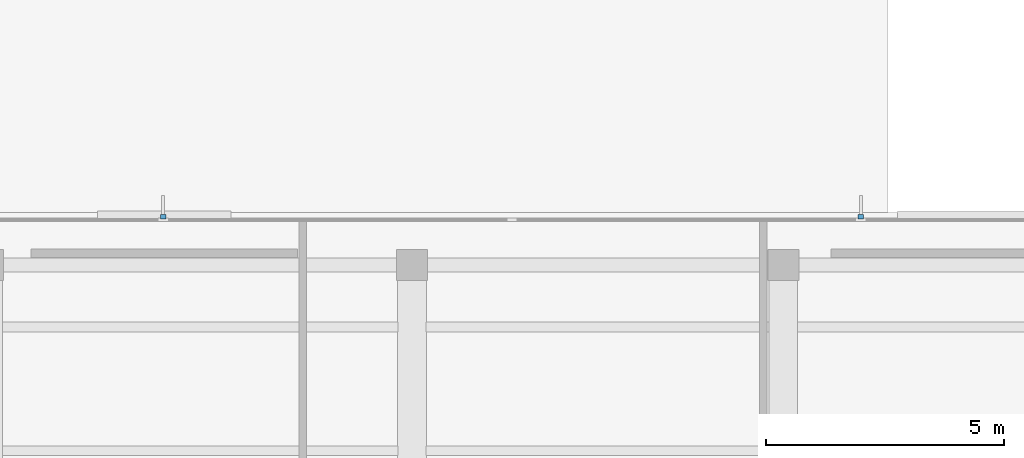
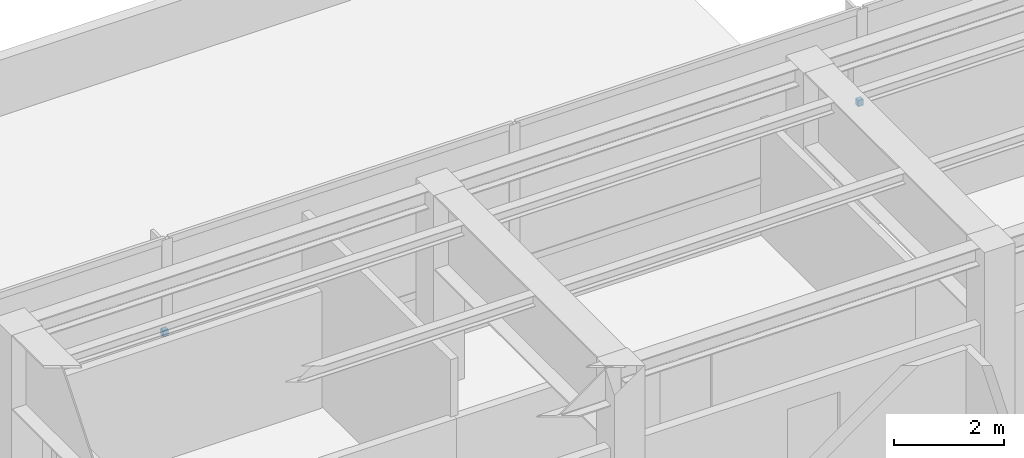
# One storey, part 5 of 6: 2 discrete accessories.
"""IFC4 building model written with IfcOpenShell, lengths in metres."""

import ifcopenshell
import ifcopenshell.guid

model = None  # the IFC model being written
_history = None  # IfcOwnerHistory: only IFC2X3 demands one
_inside = {}  # id of a spatial element -> (the spatial element, [elements in it])
_under = {}  # id of a project, library or spatial element -> (it, [spatial elements below it])
_declared = {}  # id of a project -> (the project, [libraries it declares])
_typed = {}  # id of a type object -> (the type object, [elements of that type])
_made_of = {}  # id of a material, layer set ... -> (it, [elements and type objects made of it])


def new_model(schema):
    """Start an empty IFC model of exactly this schema.

    Asked for "IFC4X3", IfcOpenShell would pick the latest addendum, in which some entities
    have other attributes; the version numbers below select the first issue.
    IFC2X3 requires an IfcOwnerHistory on every rooted entity: one is made here for all.
    """
    global model, _history
    if schema == "IFC4X3":
        model = ifcopenshell.file(schema_version=(4, 3, 0, 0))
    else:
        model = ifcopenshell.file(schema=schema)
    _inside.clear()
    _under.clear()
    _declared.clear()
    _typed.clear()
    _made_of.clear()
    _history = None
    if model.schema == "IFC2X3":
        org = make("IfcOrganization", Name="unknown")
        user = make(
            "IfcPersonAndOrganization",
            ThePerson=make("IfcPerson", FamilyName="unknown"),
            TheOrganization=org,
        )
        app = make(
            "IfcApplication",
            ApplicationDeveloper=org,
            Version="unknown",
            ApplicationFullName="unknown",
            ApplicationIdentifier="unknown",
        )
        _history = make(
            "IfcOwnerHistory",
            OwningUser=user,
            OwningApplication=app,
            ChangeAction="ADDED",
            CreationDate=0,
        )
    return model


def make(cls, **values):
    """One entity of the class cls with the attributes given. An attribute that is None is left unset."""
    return model.create_entity(
        cls, **{name: value for name, value in values.items() if value is not None}
    )


def rooted(cls, **values):
    """An entity with a GlobalId (a new one), such as an element, a storey or a relation."""
    return make(cls, GlobalId=ifcopenshell.guid.new(), OwnerHistory=_history, **values)


def si_unit(unit_type, name, prefix=None):
    """IfcSIUnit, for example si_unit("LENGTHUNIT", "METRE", prefix="MILLI")."""
    return make("IfcSIUnit", UnitType=unit_type, Prefix=prefix, Name=name)


def assignment(units):
    """IfcUnitAssignment: the units of a project."""
    return None if units is None else make("IfcUnitAssignment", Units=units)


def point(xyz):
    """IfcCartesianPoint."""
    return None if xyz is None else make("IfcCartesianPoint", Coordinates=xyz)


def direction(xyz):
    """IfcDirection."""
    return None if xyz is None else make("IfcDirection", DirectionRatios=xyz)


def frame(location, z_axis=None, x_axis=None):
    """IfcAxis2Placement3D, a coordinate frame: its origin and axes. An axis left out is left unset."""
    return make(
        "IfcAxis2Placement3D",
        Location=point(location),
        Axis=direction(z_axis),
        RefDirection=direction(x_axis),
    )


def origin():
    """The frame at (0, 0, 0) with its axes left unset."""
    return frame((0.0, 0.0, 0.0))


def place(relative_to, where):
    """IfcLocalPlacement: puts the frame where relative to a parent placement (None: the world)."""
    return make(
        "IfcLocalPlacement", PlacementRelTo=relative_to, RelativePlacement=where
    )


def context(
    kind, dimensions, precision=None, world=None, true_north=None, identifier=None
):
    """IfcGeometricRepresentationContext, for example the 3D "Model" context."""
    return make(
        "IfcGeometricRepresentationContext",
        ContextIdentifier=identifier,
        ContextType=kind,
        CoordinateSpaceDimension=dimensions,
        Precision=precision,
        WorldCoordinateSystem=world,
        TrueNorth=true_north,
    )


def subcontext(parent, identifier, kind, view, scale=None):
    """IfcGeometricRepresentationSubContext, for example "Body" below "Model"."""
    return make(
        "IfcGeometricRepresentationSubContext",
        ContextIdentifier=identifier,
        ContextType=kind,
        ParentContext=parent,
        TargetScale=scale,
        TargetView=view,
    )


def project(units=None, contexts=None):
    """IfcProject with its units and contexts."""
    return rooted(
        "IfcProject",
        Name="project",
        RepresentationContexts=contexts,
        UnitsInContext=assignment(units),
    )


def spatial(cls, under=None, at=None, **own):
    """A site, building, storey or space (cls), placed at a placement, below another one or the project."""
    s = rooted(cls, ObjectPlacement=at, **own)
    if under is not None:
        _under.setdefault(under.id(), (under, []))[1].append(s)
    return s


def polyline(points):
    """IfcPolyline through the points."""
    return make("IfcPolyline", Points=[point(p) for p in points])


def outline(outer, holes=None, kind="AREA"):
    """IfcArbitraryClosedProfileDef: a profile drawn as a closed curve; with holes, ...WithVoids."""
    if holes is None:
        return make("IfcArbitraryClosedProfileDef", ProfileType=kind, OuterCurve=outer)
    return make(
        "IfcArbitraryProfileDefWithVoids",
        ProfileType=kind,
        OuterCurve=outer,
        InnerCurves=holes,
    )


def extrude(swept, where, along, depth):
    """IfcExtrudedAreaSolid: the profile swept, set in the frame where, extruded along a direction by depth."""
    return make(
        "IfcExtrudedAreaSolid",
        SweptArea=swept,
        Position=where,
        ExtrudedDirection=direction(along),
        Depth=depth,
    )


def shape(context_of_items, identifier, shape_type, items):
    """IfcShapeRepresentation: the items that make up one representation, for example the "Body"."""
    return make(
        "IfcShapeRepresentation",
        ContextOfItems=context_of_items,
        RepresentationIdentifier=identifier,
        RepresentationType=shape_type,
        Items=items,
    )


def material(Name=None, Category=None):
    """IfcMaterial."""
    return make("IfcMaterial", Name=Name, Category=Category)


def made_of(thing, what):
    """Note that an element or type object is made of a material, layer set ...; save() writes the relation."""
    if what is not None:
        _made_of.setdefault(what.id(), (what, []))[1].append(thing)
    return thing


def type_object(cls, material=None, **own):
    """A type object (cls), such as IfcWallType, which elements share."""
    return made_of(rooted(cls, **own), material)


def element(
    cls,
    number,
    at=None,
    inside=None,
    cuts=None,
    type_object=None,
    material=None,
    context=None,
    identifier="Body",
    shape_type=None,
    held_by="IfcProductDefinitionShape",
    body=None,
    shapes=None,
    **own,
):
    """One element of the class cls, such as IfcWall. Its Tag is "e" and its number.

    at: its placement. inside: the storey or other place that contains it. cuts: it is an
    opening in that element (IfcRelVoidsElement). A single representation is given by context,
    identifier, shape_type and body (its items); several are given by shapes. held_by: the class
    of the entity that holds the representations. save() writes the other relations.
    """
    e = rooted(cls, Tag="e%d" % number, ObjectPlacement=at, **own)
    if body is not None:
        shapes = [shape(context, identifier, shape_type, body)]
    if shapes is not None:
        e.Representation = make(held_by, Representations=shapes)
    if inside is not None:
        _inside.setdefault(inside.id(), (inside, []))[1].append(e)
    if cuts is not None:
        rooted(
            "IfcRelVoidsElement", RelatingBuildingElement=cuts, RelatedOpeningElement=e
        )
    if type_object is not None:
        _typed.setdefault(type_object.id(), (type_object, []))[1].append(e)
    return made_of(e, material)


def aggregate(whole, parts):
    """IfcRelAggregates: a whole, such as a stair, and the parts it consists of."""
    return rooted("IfcRelAggregates", RelatingObject=whole, RelatedObjects=parts)


def save(model, path):
    """Write the relations noted so far, then the file.

    IfcRelAggregates (storeys below a building ...), IfcRelContainedInSpatialStructure (elements
    in a storey), IfcRelDefinesByType, IfcRelAssociatesMaterial and IfcRelDeclares: one each for
    every whole, place, type object, material and project.
    """
    for whole, parts in _under.values():
        aggregate(whole, parts)
    for where, things in _inside.values():
        rooted(
            "IfcRelContainedInSpatialStructure",
            RelatedElements=things,
            RelatingStructure=where,
        )
    for kind, things in _typed.values():
        rooted("IfcRelDefinesByType", RelatedObjects=things, RelatingType=kind)
    for what, things in _made_of.values():
        rooted("IfcRelAssociatesMaterial", RelatedObjects=things, RelatingMaterial=what)
    for by, libraries in _declared.values():
        rooted("IfcRelDeclares", RelatingContext=by, RelatedDefinitions=libraries)
    model.write(path)


model = new_model("IFC4")

# Units and contexts
model_context = context("Model", 3, precision=1e-05, world=origin(), true_north=direction((0.0, 1.0)))
body_context = subcontext(model_context, "Body", "Model", "MODEL_VIEW")
ifc_project = project(units=[si_unit("LENGTHUNIT", "METRE"), si_unit("AREAUNIT", "SQUARE_METRE"), si_unit("VOLUMEUNIT", "CUBIC_METRE"), si_unit("PLANEANGLEUNIT", "RADIAN"), si_unit("MASSUNIT", "GRAM", prefix="KILO")], contexts=[model_context])

# Site, building, storey
site_placement = place(None, origin())
site = spatial("IfcSite", under=ifc_project, at=site_placement, CompositionType="ELEMENT")
building_placement = place(site_placement, origin())
building = spatial("IfcBuilding", under=site, at=building_placement, Name="Qalmaran Belvedere Hotel", CompositionType="ELEMENT")
storey_placement = place(building_placement, frame((0.0, 0.0, 298.699951171875)))
storey = spatial("IfcBuildingStorey", under=building, at=storey_placement, Name="C01", CompositionType="ELEMENT", Elevation=298.699951171875)

# Discrete accessories
ifc_material = material(Name="Stainless Steel 1.4401", Category="steel")
discrete_accessory_type = type_object("IfcDiscreteAccessoryType", Name="BRK-FIN-SS316", PredefinedType="BRACKET", material=ifc_material)
discrete_accessory_1_placement = place(storey_placement, frame((0.0, 0.0, 2.10009765625)))
element("IfcDiscreteAccessory", 1, at=discrete_accessory_1_placement, inside=storey, type_object=discrete_accessory_type, Name="C01 Fin Bracket 1", PredefinedType="BRACKET", context=body_context, shape_type="SweptSolid", body=[
    extrude(outline(polyline([(38.679931640625, 28.06494140625), (38.679931640625, 28.16259765625), (38.570068359375, 28.16259765625), (38.570068359375, 28.06494140625), (38.679931640625, 28.06494140625)])), origin(), (0.0, 0.0, 1.0), 0.139892578125),
])
discrete_accessory_2_placement = place(storey_placement, frame((0.0, 0.0, 2.10009765625)))
element("IfcDiscreteAccessory", 2, at=discrete_accessory_2_placement, inside=storey, type_object=discrete_accessory_type, Name="C01 Fin Bracket 3", PredefinedType="BRACKET", context=body_context, shape_type="SweptSolid", body=[
    extrude(outline(polyline([(24.030029296875, 28.06494140625), (24.030029296875, 28.16259765625), (23.919921875, 28.16259765625), (23.919921875, 28.06494140625), (24.030029296875, 28.06494140625)])), origin(), (0.0, 0.0, 1.0), 0.139892578125),
])

save(model, "model.ifc")
